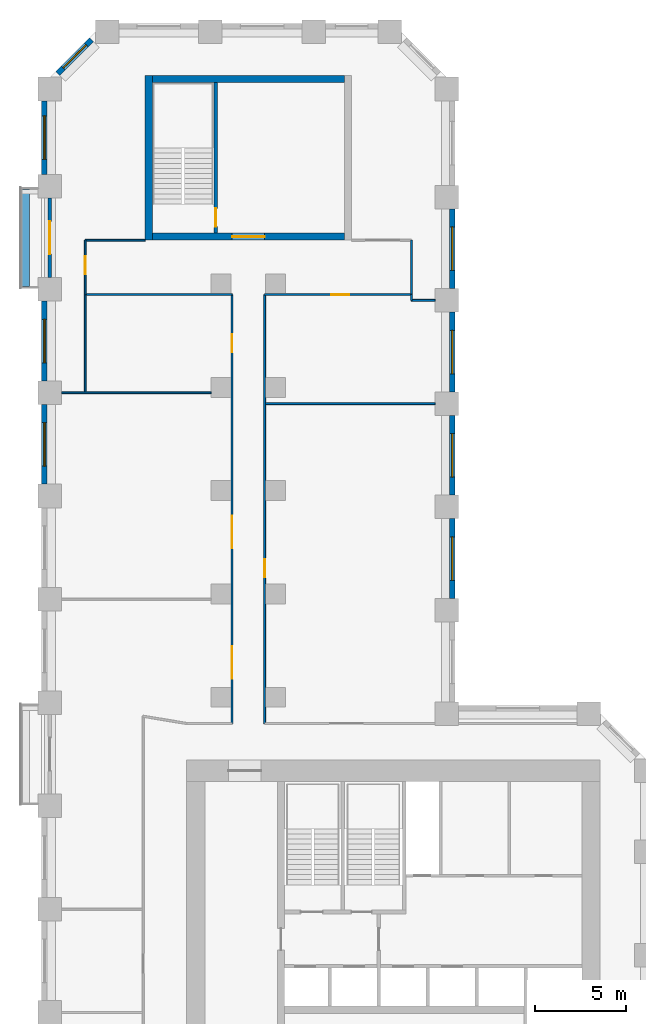
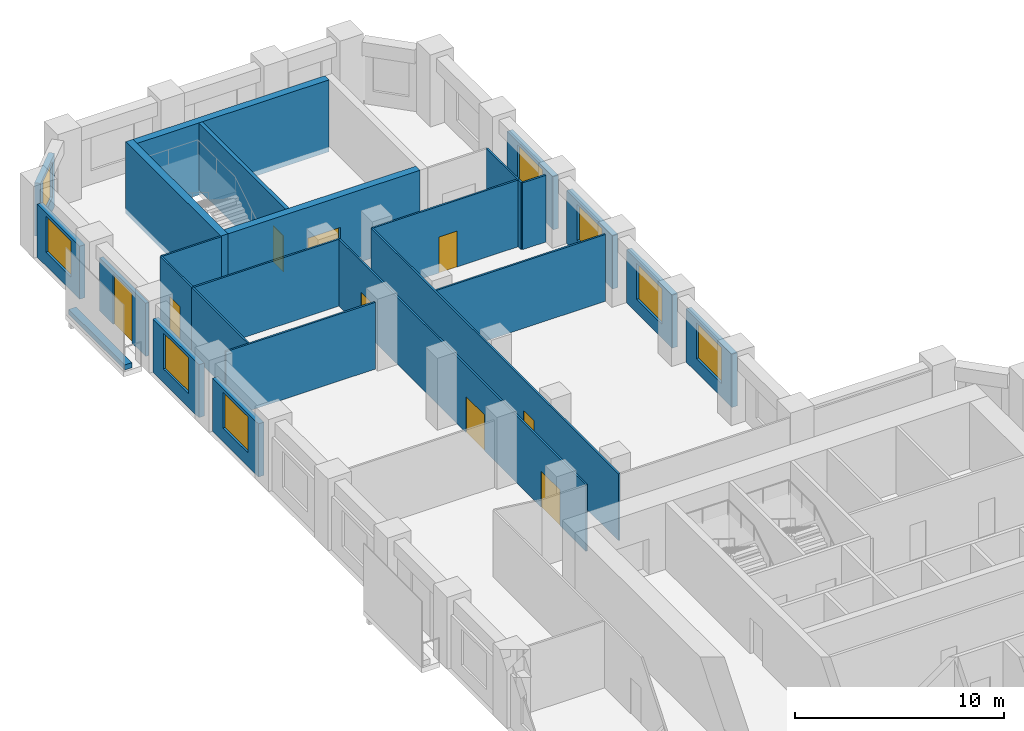
# One storey, part 8 of 10: 26 walls, 9 doors, 8 windows, 17 openings.
"""IFC4 building model written with IfcOpenShell, lengths in metres."""

from ifc_helpers import new_model, si_unit, direction, frame, frame_2d, origin, place, context, subcontext, project, spatial, rectangle, extrude, material, layer, layer_set, type_object, element, fill, save


model = new_model("IFC4")

# Units and contexts
model_context = context("Model", 3, precision=1e-05, world=origin(), true_north=direction((0.0, 1.0)))
body_context = subcontext(model_context, "Body", "Model", "MODEL_VIEW")
ifc_project = project(units=[si_unit("LENGTHUNIT", "METRE"), si_unit("AREAUNIT", "SQUARE_METRE"), si_unit("VOLUMEUNIT", "CUBIC_METRE"), si_unit("PLANEANGLEUNIT", "RADIAN"), si_unit("MASSUNIT", "GRAM", prefix="KILO")], contexts=[model_context])

# Site, building, storey
site_placement = place(None, origin())
site = spatial("IfcSite", under=ifc_project, at=site_placement, CompositionType="ELEMENT")
building_placement = place(site_placement, origin())
building = spatial("IfcBuilding", under=site, at=building_placement, Name="Meshkara Civic Tower", CompositionType="ELEMENT")
storey_placement = place(building_placement, frame((0.0, 0.0, 122.39990234375)))
storey = spatial("IfcBuildingStorey", under=building, at=storey_placement, Name="L27", CompositionType="ELEMENT", Elevation=122.39990234375)

# Wall
ifc_material_1 = material(Name="Corridor wall 100")
ifc_layer_1 = layer(ifc_material_1, 0.10009765625)
ifc_layer_set_1 = layer_set([ifc_layer_1], Name="Corridor wall 100")
wall_type_1 = type_object("IfcWallType", Name="Corridor wall 100", PredefinedType="PARTITIONING", material=ifc_layer_set_1)
wall_1_placement = place(storey_placement, frame((2.39990234375, 62.570068359375, 0.0), z_axis=(0.0, 0.0, 1.0), x_axis=(1.0, 0.0, 0.0)))
element("IfcWall", 1, at=wall_1_placement, inside=storey, type_object=wall_type_1, Name="L27-W001", PredefinedType="PARTITIONING", context=body_context, shape_type="SweptSolid", body=[
    extrude(rectangle(XDim=8.10009765625, YDim=0.10009765625, at=frame_2d((4.050048828125, 0.0))), origin(), (0.0, 0.0, 1.0), 3.900146484375),
])

# Wall, opening, door
wall_2_placement = place(storey_placement, frame((2.39990234375, 65.570068359375, 0.0), z_axis=(0.0, 0.0, 1.0), x_axis=(0.0, -1.0, 0.0)))
wall_2 = element("IfcWall", 2, at=wall_2_placement, inside=storey, type_object=wall_type_1, Name="L27-W002", PredefinedType="PARTITIONING", context=body_context, shape_type="SweptSolid", body=[
    extrude(rectangle(XDim=3.0, YDim=0.10009765625, at=frame_2d((1.5, 0.0))), origin(), (0.0, 0.0, 1.0), 3.900146484375),
])
opening_1_placement = place(wall_2_placement, frame((0.8798828125, 0.0, 0.0)))
opening_1 = element("IfcOpeningElement", 3, at=opening_1_placement, cuts=wall_2, Name="Opening L27-D024", PredefinedType="OPENING", context=body_context, shape_type="SweptSolid", body=[
    extrude(rectangle(XDim=1.0, YDim=2.10009765625, at=frame_2d((0.5, 1.050048828125))), frame((0.0, 0.06005859375, 0.0), z_axis=(0.0, -1.0, 0.0), x_axis=(1.0, 0.0, 0.0)), (0.0, 0.0, 1.0), 0.1201171875),
])
ifc_material_2 = material(Name="Door 1000 x 2100")
door_type_1 = type_object("IfcDoorType", Name="Door 1000 x 2100", OperationType="SINGLE_SWING_LEFT", PredefinedType="DOOR", material=ifc_material_2)
door_1_placement = place(opening_1_placement, origin())
door_1 = element("IfcDoor", 4, at=door_1_placement, inside=storey, type_object=door_type_1, Name="L27-D024", OperationType="SINGLE_SWING_RIGHT", OverallHeight=2.10009765625, OverallWidth=1.0, PredefinedType="DOOR", context=body_context, shape_type="SweptSolid", body=[
    extrude(rectangle(XDim=1.0, YDim=2.10009765625, at=frame_2d((0.5, 1.050048828125))), frame((0.0, 0.02490234375, 0.0), z_axis=(0.0, -1.0, 0.0), x_axis=(1.0, 0.0, 0.0)), (0.0, 0.0, 1.0), 0.050048828125),
])
fill(opening_1, door_1)

# Wall
wall_3_placement = place(storey_placement, frame((5.699951171875, 65.570068359375, 0.0), z_axis=(0.0, 0.0, 1.0), x_axis=(-1.0, 0.0, 0.0)))
element("IfcWall", 5, at=wall_3_placement, inside=storey, type_object=wall_type_1, Name="L27-W005", PredefinedType="PARTITIONING", context=body_context, shape_type="SweptSolid", body=[
    extrude(rectangle(XDim=3.300048828125, YDim=0.10009765625, at=frame_2d((1.64990234375, 0.0))), origin(), (0.0, 0.0, 1.0), 3.900146484375),
])

# Wall, openings, doors
wall_4_placement = place(storey_placement, frame((10.5, 62.570068359375, 0.0), z_axis=(0.0, 0.0, 1.0), x_axis=(0.0, -1.0, 0.0)))
wall_4 = element("IfcWall", 6, at=wall_4_placement, inside=storey, type_object=wall_type_1, Name="L27-W013", PredefinedType="PARTITIONING", context=body_context, shape_type="SweptSolid", body=[
    extrude(rectangle(XDim=23.670166015625, YDim=0.10009765625, at=frame_2d((11.8349609375, 0.0))), origin(), (0.0, 0.0, 1.0), 3.900146484375),
])
opening_2_placement = place(wall_4_placement, frame((19.39501953125, 0.0, 0.0)))
opening_2 = element("IfcOpeningElement", 7, at=opening_2_placement, cuts=wall_4, Name="Opening L27-D020", PredefinedType="OPENING", context=body_context, shape_type="SweptSolid", body=[
    extrude(rectangle(XDim=1.800048828125, YDim=2.10009765625, at=frame_2d((0.89990234375, 1.050048828125))), frame((0.0, 0.06005859375, 0.0), z_axis=(0.0, -1.0, 0.0), x_axis=(1.0, 0.0, 0.0)), (0.0, 0.0, 1.0), 0.1201171875),
])
opening_3_placement = place(wall_4_placement, frame((12.195068359375, 0.0, 0.0)))
opening_3 = element("IfcOpeningElement", 8, at=opening_3_placement, cuts=wall_4, Name="Opening L27-D022", PredefinedType="OPENING", context=body_context, shape_type="SweptSolid", body=[
    extrude(rectangle(XDim=1.800048828125, YDim=2.10009765625, at=frame_2d((0.89990234375, 1.050048828125))), frame((0.0, 0.06005859375, 0.0), z_axis=(0.0, -1.0, 0.0), x_axis=(1.0, 0.0, 0.0)), (0.0, 0.0, 1.0), 0.1201171875),
])
opening_4_placement = place(wall_4_placement, frame((2.179931640625, 0.0, 0.0)))
opening_4 = element("IfcOpeningElement", 9, at=opening_4_placement, cuts=wall_4, Name="Opening L27-D023", PredefinedType="OPENING", context=body_context, shape_type="SweptSolid", body=[
    extrude(rectangle(XDim=1.0, YDim=2.10009765625, at=frame_2d((0.5, 1.050048828125))), frame((0.0, 0.06005859375, 0.0), z_axis=(0.0, -1.0, 0.0), x_axis=(1.0, 0.0, 0.0)), (0.0, 0.0, 1.0), 0.1201171875),
])
door_2_placement = place(opening_4_placement, origin())
door_2 = element("IfcDoor", 10, at=door_2_placement, inside=storey, type_object=door_type_1, Name="L27-D023", OperationType="SINGLE_SWING_RIGHT", OverallHeight=2.10009765625, OverallWidth=1.0, PredefinedType="DOOR", context=body_context, shape_type="SweptSolid", body=[
    extrude(rectangle(XDim=1.0, YDim=2.10009765625, at=frame_2d((0.5, 1.050048828125))), frame((0.0, 0.02490234375, 0.0), z_axis=(0.0, -1.0, 0.0), x_axis=(1.0, 0.0, 0.0)), (0.0, 0.0, 1.0), 0.050048828125),
])
fill(opening_4, door_2)
ifc_material_3 = material(Name="Door pair 1800 x 2100")
door_type_2 = type_object("IfcDoorType", Name="Door pair 1800 x 2100", OperationType="SINGLE_SWING_LEFT", PredefinedType="DOOR", material=ifc_material_3)
door_3_placement = place(opening_2_placement, origin())
door_3 = element("IfcDoor", 11, at=door_3_placement, inside=storey, type_object=door_type_2, Name="L27-D020", OperationType="DOUBLE_DOOR_SINGLE_SWING", OverallHeight=2.10009765625, OverallWidth=1.800048828125, PredefinedType="DOOR", context=body_context, shape_type="SweptSolid", body=[
    extrude(rectangle(XDim=1.800048828125, YDim=2.10009765625, at=frame_2d((0.89990234375, 1.050048828125))), frame((0.0, 0.02490234375, 0.0), z_axis=(0.0, -1.0, 0.0), x_axis=(1.0, 0.0, 0.0)), (0.0, 0.0, 1.0), 0.050048828125),
])
fill(opening_2, door_3)
door_4_placement = place(opening_3_placement, origin())
door_4 = element("IfcDoor", 12, at=door_4_placement, inside=storey, type_object=door_type_2, Name="L27-D022", OperationType="DOUBLE_DOOR_SINGLE_SWING", OverallHeight=2.10009765625, OverallWidth=1.800048828125, PredefinedType="DOOR", context=body_context, shape_type="SweptSolid", body=[
    extrude(rectangle(XDim=1.800048828125, YDim=2.10009765625, at=frame_2d((0.89990234375, 1.050048828125))), frame((0.0, 0.02490234375, 0.0), z_axis=(0.0, -1.0, 0.0), x_axis=(1.0, 0.0, 0.0)), (0.0, 0.0, 1.0), 0.050048828125),
])
fill(opening_3, door_4)

# Wall, opening, door
wall_5_placement = place(storey_placement, frame((12.300048828125, 62.570068359375, 0.0), z_axis=(0.0, 0.0, 1.0), x_axis=(0.0, -1.0, 0.0)))
wall_5 = element("IfcWall", 13, at=wall_5_placement, inside=storey, type_object=wall_type_1, Name="L27-W014", PredefinedType="PARTITIONING", context=body_context, shape_type="SweptSolid", body=[
    extrude(rectangle(XDim=23.670166015625, YDim=0.10009765625, at=frame_2d((11.8349609375, 0.0))), origin(), (0.0, 0.0, 1.0), 3.900146484375),
])
opening_5_placement = place(wall_5_placement, frame((14.60009765625, 0.0, 0.0)))
opening_5 = element("IfcOpeningElement", 14, at=opening_5_placement, cuts=wall_5, Name="Opening L27-D021", PredefinedType="OPENING", context=body_context, shape_type="SweptSolid", body=[
    extrude(rectangle(XDim=1.0, YDim=2.10009765625, at=frame_2d((0.5, 1.050048828125))), frame((0.0, 0.06005859375, 0.0), z_axis=(0.0, -1.0, 0.0), x_axis=(1.0, 0.0, 0.0)), (0.0, 0.0, 1.0), 0.1201171875),
])
door_5_placement = place(opening_5_placement, origin())
door_5 = element("IfcDoor", 15, at=door_5_placement, inside=storey, type_object=door_type_1, Name="L27-D021", OperationType="SINGLE_SWING_RIGHT", OverallHeight=2.10009765625, OverallWidth=1.0, PredefinedType="DOOR", context=body_context, shape_type="SweptSolid", body=[
    extrude(rectangle(XDim=1.0, YDim=2.10009765625, at=frame_2d((0.5, 1.050048828125))), frame((0.0, 0.02490234375, 0.0), z_axis=(0.0, -1.0, 0.0), x_axis=(1.0, 0.0, 0.0)), (0.0, 0.0, 1.0), 0.050048828125),
])
fill(opening_5, door_5)

wall_6_placement = place(storey_placement, frame((12.300048828125, 62.570068359375, 0.0), z_axis=(0.0, 0.0, 1.0), x_axis=(1.0, 0.0, 0.0)))
wall_6 = element("IfcWall", 16, at=wall_6_placement, inside=storey, type_object=wall_type_1, Name="L27-W015", PredefinedType="PARTITIONING", context=body_context, shape_type="SweptSolid", body=[
    extrude(rectangle(XDim=8.099853515625, YDim=0.10009765625, at=frame_2d((4.0498046875, 0.0))), origin(), (0.0, 0.0, 1.0), 3.900146484375),
])
opening_6_placement = place(wall_6_placement, frame((3.679931640625, 0.0, 0.0)))
opening_6 = element("IfcOpeningElement", 17, at=opening_6_placement, cuts=wall_6, Name="Opening L27-D025", PredefinedType="OPENING", context=body_context, shape_type="SweptSolid", body=[
    extrude(rectangle(XDim=1.0, YDim=2.10009765625, at=frame_2d((0.5, 1.050048828125))), frame((0.0, 0.06005859375, 0.0), z_axis=(0.0, -1.0, 0.0), x_axis=(1.0, 0.0, 0.0)), (0.0, 0.0, 1.0), 0.1201171875),
])
door_6_placement = place(opening_6_placement, origin())
door_6 = element("IfcDoor", 18, at=door_6_placement, inside=storey, type_object=door_type_1, Name="L27-D025", OperationType="SINGLE_SWING_LEFT", OverallHeight=2.10009765625, OverallWidth=1.0, PredefinedType="DOOR", context=body_context, shape_type="SweptSolid", body=[
    extrude(rectangle(XDim=1.0, YDim=2.10009765625, at=frame_2d((0.5, 1.050048828125))), frame((0.0, 0.02490234375, 0.0), z_axis=(0.0, -1.0, 0.0), x_axis=(1.0, 0.0, 0.0)), (0.0, 0.0, 1.0), 0.050048828125),
])
fill(opening_6, door_6)

# Wall
wall_7_placement = place(storey_placement, frame((20.39990234375, 62.570068359375, 0.0), z_axis=(0.0, 0.0, 1.0), x_axis=(0.0, 1.0, 0.0)))
element("IfcWall", 19, at=wall_7_placement, inside=storey, type_object=wall_type_1, Name="L27-W017", PredefinedType="PARTITIONING", context=body_context, shape_type="SweptSolid", body=[
    extrude(rectangle(XDim=3.0, YDim=0.10009765625, at=frame_2d((1.5, 0.0))), origin(), (0.0, 0.0, 1.0), 3.900146484375),
])

# Wall, opening, window
ifc_material_4 = material(Name="Insulated infill panel with bronze anodised aluminium cladding", Category="aluminium")
ifc_layer_2 = layer(ifc_material_4, 0.300048828125)
ifc_layer_set_2 = layer_set([ifc_layer_2], Name="EXTERNAL INFILL WALL 300")
wall_type_2 = type_object("IfcWallType", Name="EXTERNAL INFILL WALL 300", PredefinedType="SOLIDWALL", material=ifc_layer_set_2)
wall_8_placement = place(storey_placement, frame((22.64990234375, 45.800048828125, 0.0), z_axis=(0.0, 0.0, 1.0), x_axis=(0.0, 1.0, 0.0)))
wall_8 = element("IfcWall", 20, at=wall_8_placement, inside=storey, type_object=wall_type_2, Name="External wall", PredefinedType="SOLIDWALL", context=body_context, shape_type="SweptSolid", body=[
    extrude(rectangle(XDim=4.39990234375, YDim=0.300048828125, at=frame_2d((2.199951171875, 0.0))), origin(), (0.0, 0.0, 1.0), 3.10009765625),
])
opening_7_placement = place(wall_8_placement, frame((1.0, 0.0, 0.800048828125)))
opening_7 = element("IfcOpeningElement", 21, at=opening_7_placement, cuts=wall_8, Name="Opening W7", PredefinedType="OPENING", context=body_context, shape_type="SweptSolid", body=[
    extrude(rectangle(XDim=2.39990234375, YDim=2.10009765625, at=frame_2d((1.199951171875, 1.050048828125))), frame((0.0, 0.159912109375, 0.0), z_axis=(0.0, -1.0, 0.0), x_axis=(1.0, 0.0, 0.0)), (0.0, 0.0, 1.0), 0.320068359375),
])
ifc_material_5 = material(Name="Tinted double glazing", Category="glass")
window_type_1 = type_object("IfcWindowType", Name="WINDOW 2400x2100", PartitioningType="DOUBLE_PANEL_VERTICAL", PredefinedType="WINDOW", material=ifc_material_5)
window_1_placement = place(opening_7_placement, origin())
window_1 = element("IfcWindow", 22, at=window_1_placement, inside=storey, type_object=window_type_1, Name="Window", OverallHeight=2.10009765625, OverallWidth=2.39990234375, PartitioningType="DOUBLE_PANEL_VERTICAL", PredefinedType="WINDOW", context=body_context, shape_type="SweptSolid", body=[
    extrude(rectangle(XDim=2.39990234375, YDim=2.10009765625, at=frame_2d((1.199951171875, 1.050048828125))), frame((0.0, 0.030029296875, 0.0), z_axis=(0.0, -1.0, 0.0), x_axis=(1.0, 0.0, 0.0)), (0.0, 0.0, 1.0), 0.06005859375),
])
fill(opening_7, window_1)

wall_9_placement = place(storey_placement, frame((22.64990234375, 51.5, 0.0), z_axis=(0.0, 0.0, 1.0), x_axis=(0.0, 1.0, 0.0)))
wall_9 = element("IfcWall", 23, at=wall_9_placement, inside=storey, type_object=wall_type_2, Name="External wall", PredefinedType="SOLIDWALL", context=body_context, shape_type="SweptSolid", body=[
    extrude(rectangle(XDim=4.39990234375, YDim=0.300048828125, at=frame_2d((2.199951171875, 0.0))), origin(), (0.0, 0.0, 1.0), 3.10009765625),
])
opening_8_placement = place(wall_9_placement, frame((1.0, 0.0, 0.800048828125)))
opening_8 = element("IfcOpeningElement", 24, at=opening_8_placement, cuts=wall_9, Name="Opening W7", PredefinedType="OPENING", context=body_context, shape_type="SweptSolid", body=[
    extrude(rectangle(XDim=2.39990234375, YDim=2.10009765625, at=frame_2d((1.199951171875, 1.050048828125))), frame((0.0, 0.159912109375, 0.0), z_axis=(0.0, -1.0, 0.0), x_axis=(1.0, 0.0, 0.0)), (0.0, 0.0, 1.0), 0.320068359375),
])
window_2_placement = place(opening_8_placement, origin())
window_2 = element("IfcWindow", 25, at=window_2_placement, inside=storey, type_object=window_type_1, Name="Window", OverallHeight=2.10009765625, OverallWidth=2.39990234375, PartitioningType="DOUBLE_PANEL_VERTICAL", PredefinedType="WINDOW", context=body_context, shape_type="SweptSolid", body=[
    extrude(rectangle(XDim=2.39990234375, YDim=2.10009765625, at=frame_2d((1.199951171875, 1.050048828125))), frame((0.0, 0.030029296875, 0.0), z_axis=(0.0, -1.0, 0.0), x_axis=(1.0, 0.0, 0.0)), (0.0, 0.0, 1.0), 0.06005859375),
])
fill(opening_8, window_2)

wall_10_placement = place(storey_placement, frame((22.64990234375, 57.199951171875, 0.0), z_axis=(0.0, 0.0, 1.0), x_axis=(0.0, 1.0, 0.0)))
wall_10 = element("IfcWall", 26, at=wall_10_placement, inside=storey, type_object=wall_type_2, Name="External wall", PredefinedType="SOLIDWALL", context=body_context, shape_type="SweptSolid", body=[
    extrude(rectangle(XDim=4.400146484375, YDim=0.300048828125, at=frame_2d((2.2001953125, 0.0))), origin(), (0.0, 0.0, 1.0), 3.10009765625),
])
opening_9_placement = place(wall_10_placement, frame((1.0, 0.0, 0.800048828125)))
opening_9 = element("IfcOpeningElement", 27, at=opening_9_placement, cuts=wall_10, Name="Opening W7", PredefinedType="OPENING", context=body_context, shape_type="SweptSolid", body=[
    extrude(rectangle(XDim=2.39990234375, YDim=2.10009765625, at=frame_2d((1.199951171875, 1.050048828125))), frame((0.0, 0.159912109375, 0.0), z_axis=(0.0, -1.0, 0.0), x_axis=(1.0, 0.0, 0.0)), (0.0, 0.0, 1.0), 0.320068359375),
])
window_3_placement = place(opening_9_placement, origin())
window_3 = element("IfcWindow", 28, at=window_3_placement, inside=storey, type_object=window_type_1, Name="Window", OverallHeight=2.10009765625, OverallWidth=2.39990234375, PartitioningType="DOUBLE_PANEL_VERTICAL", PredefinedType="WINDOW", context=body_context, shape_type="SweptSolid", body=[
    extrude(rectangle(XDim=2.39990234375, YDim=2.10009765625, at=frame_2d((1.199951171875, 1.050048828125))), frame((0.0, 0.030029296875, 0.0), z_axis=(0.0, -1.0, 0.0), x_axis=(1.0, 0.0, 0.0)), (0.0, 0.0, 1.0), 0.06005859375),
])
fill(opening_9, window_3)

wall_11_placement = place(storey_placement, frame((22.64990234375, 62.89990234375, 0.0), z_axis=(0.0, 0.0, 1.0), x_axis=(0.0, 1.0, 0.0)))
wall_11 = element("IfcWall", 29, at=wall_11_placement, inside=storey, type_object=wall_type_2, Name="External wall", PredefinedType="SOLIDWALL", context=body_context, shape_type="SweptSolid", body=[
    extrude(rectangle(XDim=4.400146484375, YDim=0.300048828125, at=frame_2d((2.2001953125, 0.0))), origin(), (0.0, 0.0, 1.0), 3.10009765625),
])
opening_10_placement = place(wall_11_placement, frame((1.0, 0.0, 0.800048828125)))
opening_10 = element("IfcOpeningElement", 30, at=opening_10_placement, cuts=wall_11, Name="Opening W7", PredefinedType="OPENING", context=body_context, shape_type="SweptSolid", body=[
    extrude(rectangle(XDim=2.39990234375, YDim=2.10009765625, at=frame_2d((1.199951171875, 1.050048828125))), frame((0.0, 0.159912109375, 0.0), z_axis=(0.0, -1.0, 0.0), x_axis=(1.0, 0.0, 0.0)), (0.0, 0.0, 1.0), 0.320068359375),
])
window_4_placement = place(opening_10_placement, origin())
window_4 = element("IfcWindow", 31, at=window_4_placement, inside=storey, type_object=window_type_1, Name="Window", OverallHeight=2.10009765625, OverallWidth=2.39990234375, PartitioningType="DOUBLE_PANEL_VERTICAL", PredefinedType="WINDOW", context=body_context, shape_type="SweptSolid", body=[
    extrude(rectangle(XDim=2.39990234375, YDim=2.10009765625, at=frame_2d((1.199951171875, 1.050048828125))), frame((0.0, 0.030029296875, 0.0), z_axis=(0.0, -1.0, 0.0), x_axis=(1.0, 0.0, 0.0)), (0.0, 0.0, 1.0), 0.06005859375),
])
fill(opening_10, window_4)

wall_12_placement = place(storey_placement, frame((2.743896484375, 76.632080078125, 0.0), z_axis=(0.0, 0.0, 1.0), x_axis=(-0.707060274772, -0.707153284542, 0.0)))
wall_12 = element("IfcWall", 32, at=wall_12_placement, inside=storey, type_object=wall_type_2, Name="External wall", PredefinedType="SOLIDWALL", context=body_context, shape_type="SweptSolid", body=[
    extrude(rectangle(XDim=2.625, YDim=0.300048828125, at=frame_2d((1.3125, 0.0))), origin(), (0.0, 0.0, 1.0), 3.10009765625),
])
opening_11_placement = place(wall_12_placement, frame((0.412109375, 0.0, 0.800048828125)))
opening_11 = element("IfcOpeningElement", 33, at=opening_11_placement, cuts=wall_12, Name="Opening W9", PredefinedType="OPENING", context=body_context, shape_type="SweptSolid", body=[
    extrude(rectangle(XDim=1.800048828125, YDim=2.10009765625, at=frame_2d((0.89990234375, 1.050048828125))), frame((0.0, 0.159912109375, 0.0), z_axis=(0.0, -1.0, 0.0), x_axis=(1.0, 0.0, 0.0)), (0.0, 0.0, 1.0), 0.320068359375),
])
ifc_material_6 = material(Name="Tinted double glazing", Category="glass")
window_type_2 = type_object("IfcWindowType", Name="WINDOW 1800x2100", PartitioningType="DOUBLE_PANEL_VERTICAL", PredefinedType="WINDOW", material=ifc_material_6)
window_5_placement = place(opening_11_placement, origin())
window_5 = element("IfcWindow", 34, at=window_5_placement, inside=storey, type_object=window_type_2, Name="Window", OverallHeight=2.10009765625, OverallWidth=1.800048828125, PartitioningType="DOUBLE_PANEL_VERTICAL", PredefinedType="WINDOW", context=body_context, shape_type="SweptSolid", body=[
    extrude(rectangle(XDim=1.800048828125, YDim=2.10009765625, at=frame_2d((0.89990234375, 1.050048828125))), frame((0.0, 0.030029296875, 0.0), z_axis=(0.0, -1.0, 0.0), x_axis=(1.0, 0.0, 0.0)), (0.0, 0.0, 1.0), 0.06005859375),
])
fill(opening_11, window_5)

wall_13_placement = place(storey_placement, frame((0.14990234375, 73.263916015625, 0.0), z_axis=(0.0, 0.0, 1.0), x_axis=(0.0, -1.0, 0.0)))
wall_13 = element("IfcWall", 35, at=wall_13_placement, inside=storey, type_object=wall_type_2, Name="External wall", PredefinedType="SOLIDWALL", context=body_context, shape_type="SweptSolid", body=[
    extrude(rectangle(XDim=4.058837890625, YDim=0.300048828125, at=frame_2d((2.029296875, 0.0))), origin(), (0.0, 0.0, 1.0), 3.10009765625),
])
opening_12_placement = place(wall_13_placement, frame((0.8291015625, 0.0, 0.800048828125)))
opening_12 = element("IfcOpeningElement", 36, at=opening_12_placement, cuts=wall_13, Name="Opening W7", PredefinedType="OPENING", context=body_context, shape_type="SweptSolid", body=[
    extrude(rectangle(XDim=2.39990234375, YDim=2.10009765625, at=frame_2d((1.199951171875, 1.050048828125))), frame((0.0, 0.159912109375, 0.0), z_axis=(0.0, -1.0, 0.0), x_axis=(1.0, 0.0, 0.0)), (0.0, 0.0, 1.0), 0.320068359375),
])
window_6_placement = place(opening_12_placement, origin())
window_6 = element("IfcWindow", 37, at=window_6_placement, inside=storey, type_object=window_type_1, Name="Window", OverallHeight=2.10009765625, OverallWidth=2.39990234375, PartitioningType="DOUBLE_PANEL_VERTICAL", PredefinedType="WINDOW", context=body_context, shape_type="SweptSolid", body=[
    extrude(rectangle(XDim=2.39990234375, YDim=2.10009765625, at=frame_2d((1.199951171875, 1.050048828125))), frame((0.0, 0.030029296875, 0.0), z_axis=(0.0, -1.0, 0.0), x_axis=(1.0, 0.0, 0.0)), (0.0, 0.0, 1.0), 0.06005859375),
])
fill(opening_12, window_6)

wall_14_placement = place(storey_placement, frame((0.14990234375, 62.205078125, 0.0), z_axis=(0.0, 0.0, 1.0), x_axis=(0.0, -1.0, 0.0)))
wall_14 = element("IfcWall", 38, at=wall_14_placement, inside=storey, type_object=wall_type_2, Name="External wall", PredefinedType="SOLIDWALL", context=body_context, shape_type="SweptSolid", body=[
    extrude(rectangle(XDim=4.400146484375, YDim=0.300048828125, at=frame_2d((2.2001953125, 0.0))), origin(), (0.0, 0.0, 1.0), 3.10009765625),
])
opening_13_placement = place(wall_14_placement, frame((1.0, 0.0, 0.800048828125)))
opening_13 = element("IfcOpeningElement", 39, at=opening_13_placement, cuts=wall_14, Name="Opening W7", PredefinedType="OPENING", context=body_context, shape_type="SweptSolid", body=[
    extrude(rectangle(XDim=2.39990234375, YDim=2.10009765625, at=frame_2d((1.199951171875, 1.050048828125))), frame((0.0, 0.159912109375, 0.0), z_axis=(0.0, -1.0, 0.0), x_axis=(1.0, 0.0, 0.0)), (0.0, 0.0, 1.0), 0.320068359375),
])
window_7_placement = place(opening_13_placement, origin())
window_7 = element("IfcWindow", 40, at=window_7_placement, inside=storey, type_object=window_type_1, Name="Window", OverallHeight=2.10009765625, OverallWidth=2.39990234375, PartitioningType="DOUBLE_PANEL_VERTICAL", PredefinedType="WINDOW", context=body_context, shape_type="SweptSolid", body=[
    extrude(rectangle(XDim=2.39990234375, YDim=2.10009765625, at=frame_2d((1.199951171875, 1.050048828125))), frame((0.0, 0.030029296875, 0.0), z_axis=(0.0, -1.0, 0.0), x_axis=(1.0, 0.0, 0.0)), (0.0, 0.0, 1.0), 0.06005859375),
])
fill(opening_13, window_7)

wall_15_placement = place(storey_placement, frame((0.14990234375, 56.5048828125, 0.0), z_axis=(0.0, 0.0, 1.0), x_axis=(0.0, -1.0, 0.0)))
wall_15 = element("IfcWall", 41, at=wall_15_placement, inside=storey, type_object=wall_type_2, Name="External wall", PredefinedType="SOLIDWALL", context=body_context, shape_type="SweptSolid", body=[
    extrude(rectangle(XDim=4.39990234375, YDim=0.300048828125, at=frame_2d((2.199951171875, 0.0))), origin(), (0.0, 0.0, 1.0), 3.10009765625),
])
opening_14_placement = place(wall_15_placement, frame((1.0, 0.0, 0.800048828125)))
opening_14 = element("IfcOpeningElement", 42, at=opening_14_placement, cuts=wall_15, Name="Opening W7", PredefinedType="OPENING", context=body_context, shape_type="SweptSolid", body=[
    extrude(rectangle(XDim=2.39990234375, YDim=2.10009765625, at=frame_2d((1.199951171875, 1.050048828125))), frame((0.0, 0.159912109375, 0.0), z_axis=(0.0, -1.0, 0.0), x_axis=(1.0, 0.0, 0.0)), (0.0, 0.0, 1.0), 0.320068359375),
])
window_8_placement = place(opening_14_placement, origin())
window_8 = element("IfcWindow", 43, at=window_8_placement, inside=storey, type_object=window_type_1, Name="Window", OverallHeight=2.10009765625, OverallWidth=2.39990234375, PartitioningType="DOUBLE_PANEL_VERTICAL", PredefinedType="WINDOW", context=body_context, shape_type="SweptSolid", body=[
    extrude(rectangle(XDim=2.39990234375, YDim=2.10009765625, at=frame_2d((1.199951171875, 1.050048828125))), frame((0.0, 0.030029296875, 0.0), z_axis=(0.0, -1.0, 0.0), x_axis=(1.0, 0.0, 0.0)), (0.0, 0.0, 1.0), 0.06005859375),
])
fill(opening_14, window_8)

# Wall
ifc_material_7 = material(Name="Concrete C70", Category="concrete")
ifc_layer_3 = layer(ifc_material_7, 0.39990234375)
ifc_layer_set_3 = layer_set([ifc_layer_3], Name="End core ring wall 400 C70")
wall_type_3 = type_object("IfcWallType", Name="End core ring wall 400 C70", PredefinedType="SHEAR", material=ifc_layer_set_3)
wall_16_placement = place(storey_placement, frame((5.89990234375, 65.570068359375, -0.2998046875), z_axis=(0.0, 0.0, 1.0), x_axis=(0.0, 1.0, 0.0)))
element("IfcWall", 44, at=wall_16_placement, inside=storey, type_object=wall_type_3, Name="L27-C026", PredefinedType="SHEAR", context=body_context, shape_type="SweptSolid", body=[
    extrude(rectangle(XDim=9.099853515625, YDim=0.39990234375, at=frame_2d((4.5498046875, 0.0))), origin(), (0.0, 0.0, 1.0), 4.199951171875),
])

# Wall, opening, door
wall_17_placement = place(storey_placement, frame((6.10009765625, 65.77001953125, -0.2998046875), z_axis=(0.0, 0.0, 1.0), x_axis=(1.0, 0.0, 0.0)))
wall_17 = element("IfcWall", 45, at=wall_17_placement, inside=storey, type_object=wall_type_3, Name="L27-C028", PredefinedType="SHEAR", context=body_context, shape_type="SweptSolid", body=[
    extrude(rectangle(XDim=10.599853515625, YDim=0.39990234375, at=frame_2d((5.2998046875, 0.0))), origin(), (0.0, 0.0, 1.0), 4.199951171875),
])
opening_15_placement = place(wall_17_placement, frame((4.39990234375, 0.0, 0.300048828125)))
opening_15 = element("IfcOpeningElement", 46, at=opening_15_placement, cuts=wall_17, Name="Opening L27-K102", PredefinedType="OPENING", context=body_context, shape_type="SweptSolid", body=[
    extrude(rectangle(XDim=1.800048828125, YDim=2.10009765625, at=frame_2d((0.89990234375, 1.050048828125))), frame((0.0, 0.2099609375, 0.0), z_axis=(0.0, -1.0, 0.0), x_axis=(1.0, 0.0, 0.0)), (0.0, 0.0, 1.0), 0.419921875),
])
ifc_material_8 = material(Name="Fire-rated door leaf in steel frame", Category="steel")
door_type_3 = type_object("IfcDoorType", Name="Core double door 1800 EI 60", OperationType="DOUBLE_DOOR_SINGLE_SWING", PredefinedType="DOOR", material=ifc_material_8)
door_7_placement = place(opening_15_placement, origin())
door_7 = element("IfcDoor", 47, at=door_7_placement, inside=storey, type_object=door_type_3, Name="L27-K102", OperationType="DOUBLE_DOOR_SINGLE_SWING", OverallHeight=2.10009765625, OverallWidth=1.800048828125, PredefinedType="DOOR", context=body_context, shape_type="SweptSolid", body=[
    extrude(rectangle(XDim=1.800048828125, YDim=2.10009765625, at=frame_2d((0.89990234375, 1.050048828125))), frame((0.0, 0.02490234375, 0.0), z_axis=(0.0, -1.0, 0.0), x_axis=(1.0, 0.0, 0.0)), (0.0, 0.0, 1.0), 0.050048828125),
])
fill(opening_15, door_7)

# Wall
wall_18_placement = place(storey_placement, frame((6.10009765625, 74.469970703125, -0.2998046875), z_axis=(0.0, 0.0, 1.0), x_axis=(1.0, 0.0, 0.0)))
element("IfcWall", 48, at=wall_18_placement, inside=storey, type_object=wall_type_3, Name="L27-C029", PredefinedType="SHEAR", context=body_context, shape_type="SweptSolid", body=[
    extrude(rectangle(XDim=10.599853515625, YDim=0.39990234375, at=frame_2d((5.2998046875, 0.0))), origin(), (0.0, 0.0, 1.0), 4.199951171875),
])

# Wall, opening, door
ifc_material_9 = material(Name="Insulated infill panel with bronze anodised aluminium cladding", Category="aluminium")
ifc_layer_4 = layer(ifc_material_9, 0.199951171875)
ifc_layer_set_4 = layer_set([ifc_layer_4], Name="LOGGIA BACK WALL 200")
wall_type_4 = type_object("IfcWallType", Name="LOGGIA BACK WALL 200", PredefinedType="SOLIDWALL", material=ifc_layer_set_4)
wall_19_placement = place(storey_placement, frame((0.449951171875, 67.905029296875, 0.0), z_axis=(0.0, 0.0, 1.0), x_axis=(0.0, -1.0, 0.0)))
wall_19 = element("IfcWall", 49, at=wall_19_placement, inside=storey, type_object=wall_type_4, Name="Loggia wall", PredefinedType="SOLIDWALL", context=body_context, shape_type="SweptSolid", body=[
    extrude(rectangle(XDim=4.400146484375, YDim=0.199951171875, at=frame_2d((2.2001953125, 0.0))), origin(), (0.0, 0.0, 1.0), 3.10009765625),
])
opening_16_placement = place(wall_19_placement, frame((1.300048828125, 0.0, 0.0)))
opening_16 = element("IfcOpeningElement", 50, at=opening_16_placement, cuts=wall_19, Name="Opening L27-L001", PredefinedType="OPENING", context=body_context, shape_type="SweptSolid", body=[
    extrude(rectangle(XDim=1.800048828125, YDim=2.89990234375, at=frame_2d((0.89990234375, 1.449951171875))), frame((0.0, 0.10986328125, 0.0), z_axis=(0.0, -1.0, 0.0), x_axis=(1.0, 0.0, 0.0)), (0.0, 0.0, 1.0), 0.219970703125),
])
ifc_material_10 = material(Name="Tinted double glazing", Category="glass")
door_type_4 = type_object("IfcDoorType", Name="LOGGIA DOOR 1800x2900", OperationType="DOUBLE_DOOR_SINGLE_SWING", PredefinedType="DOOR", material=ifc_material_10)
door_8_placement = place(opening_16_placement, origin())
door_8 = element("IfcDoor", 51, at=door_8_placement, inside=storey, type_object=door_type_4, Name="L27-L001", OperationType="DOUBLE_DOOR_SINGLE_SWING", OverallHeight=2.89990234375, OverallWidth=1.800048828125, PredefinedType="DOOR", context=body_context, shape_type="SweptSolid", body=[
    extrude(rectangle(XDim=1.800048828125, YDim=2.89990234375, at=frame_2d((0.89990234375, 1.449951171875))), frame((0.0, 0.02490234375, 0.0), z_axis=(0.0, -1.0, 0.0), x_axis=(1.0, 0.0, 0.0)), (0.0, 0.0, 1.0), 0.050048828125),
])
fill(opening_16, door_8)

# Walls
ifc_material_11 = material(Name="Concrete C40", Category="concrete")
ifc_layer_5 = layer(ifc_material_11, 0.39990234375)
ifc_layer_set_5 = layer_set([ifc_layer_5], Name="PLANTER TRAY")
wall_type_5 = type_object("IfcWallType", Name="PLANTER TRAY", PredefinedType="SOLIDWALL", material=ifc_layer_set_5)
wall_20_placement = place(storey_placement, frame((-0.8798828125, 68.385009765625, 0.0), z_axis=(0.0, 0.0, 1.0), x_axis=(0.0, -1.0, 0.0)))
element("IfcWall", 52, at=wall_20_placement, inside=storey, type_object=wall_type_5, Name="Planter", PredefinedType="SOLIDWALL", context=body_context, shape_type="SweptSolid", body=[
    extrude(rectangle(XDim=5.360107421875, YDim=0.39990234375, at=frame_2d((2.68017578125, 0.0))), origin(), (0.0, 0.0, 1.0), 0.300048828125),
])
ifc_material_12 = material(Name="Partition 100")
ifc_layer_6 = layer(ifc_material_12, 0.10009765625)
ifc_layer_set_6 = layer_set([ifc_layer_6], Name="Partition 100")
wall_type_6 = type_object("IfcWallType", Name="Partition 100", PredefinedType="PARTITIONING", material=ifc_layer_set_6)
wall_21_placement = place(storey_placement, frame((1.10009765625, 57.155029296875, 0.0), z_axis=(0.0, 0.0, 1.0), x_axis=(1.0, 0.0, 0.0)))
element("IfcWall", 53, at=wall_21_placement, inside=storey, type_object=wall_type_6, Name="L27-W031", PredefinedType="PARTITIONING", context=body_context, shape_type="SweptSolid", body=[
    extrude(rectangle(XDim=8.25, YDim=0.10009765625, at=frame_2d((4.125, 0.0))), origin(), (0.0, 0.0, 1.0), 3.900146484375),
])
wall_22_placement = place(storey_placement, frame((2.39990234375, 57.205078125, 0.0), z_axis=(0.0, 0.0, 1.0), x_axis=(0.0, 1.0, 0.0)))
element("IfcWall", 54, at=wall_22_placement, inside=storey, type_object=wall_type_6, Name="L27-W032", PredefinedType="PARTITIONING", context=body_context, shape_type="SweptSolid", body=[
    extrude(rectangle(XDim=5.368896484375, YDim=0.10009765625, at=frame_2d((2.6845703125, 0.0))), origin(), (0.0, 0.0, 1.0), 3.900146484375),
])
wall_23_placement = place(storey_placement, frame((20.39990234375, 62.25, 0.0), z_axis=(0.0, 0.0, 1.0), x_axis=(0.0, 1.0, 0.0)))
element("IfcWall", 55, at=wall_23_placement, inside=storey, type_object=wall_type_6, Name="L27-W040", PredefinedType="PARTITIONING", context=body_context, shape_type="SweptSolid", body=[
    extrude(rectangle(XDim=0.323974609375, YDim=0.10009765625, at=frame_2d((0.162109375, 0.0))), origin(), (0.0, 0.0, 1.0), 3.900146484375),
])
wall_24_placement = place(storey_placement, frame((21.699951171875, 56.550048828125, 0.0), z_axis=(0.0, 0.0, 1.0), x_axis=(-1.0, 0.0, 0.0)))
element("IfcWall", 56, at=wall_24_placement, inside=storey, type_object=wall_type_6, Name="L27-W041", PredefinedType="PARTITIONING", context=body_context, shape_type="SweptSolid", body=[
    extrude(rectangle(XDim=9.349853515625, YDim=0.10009765625, at=frame_2d((4.6748046875, 0.0))), origin(), (0.0, 0.0, 1.0), 3.900146484375),
])
wall_25_placement = place(storey_placement, frame((21.699951171875, 62.25, 0.0), z_axis=(0.0, 0.0, 1.0), x_axis=(-1.0, 0.0, 0.0)))
element("IfcWall", 57, at=wall_25_placement, inside=storey, type_object=wall_type_6, Name="L27-W042", PredefinedType="PARTITIONING", context=body_context, shape_type="SweptSolid", body=[
    extrude(rectangle(XDim=1.300048828125, YDim=0.10009765625, at=frame_2d((0.64990234375, 0.0))), origin(), (0.0, 0.0, 1.0), 3.900146484375),
])

# Wall, opening, door
ifc_material_13 = material(Name="Concrete C40/50", Category="concrete")
ifc_layer_7 = layer(ifc_material_13, 0.199951171875)
ifc_layer_set_7 = layer_set([ifc_layer_7], Name="Stair enclosure wall 200 C40/50")
wall_type_7 = type_object("IfcWallType", Name="Stair enclosure wall 200 C40/50", PredefinedType="SOLIDWALL", material=ifc_layer_set_7)
wall_26_placement = place(storey_placement, frame((9.60009765625, 65.969970703125, 0.0), z_axis=(0.0, 0.0, 1.0), x_axis=(0.0, 1.0, 0.0)))
wall_26 = element("IfcWall", 58, at=wall_26_placement, inside=storey, type_object=wall_type_7, Name="L27-C030", PredefinedType="SOLIDWALL", context=body_context, shape_type="SweptSolid", body=[
    extrude(rectangle(XDim=8.300048828125, YDim=0.199951171875, at=frame_2d((4.14990234375, 0.0))), origin(), (0.0, 0.0, 1.0), 3.900146484375),
])
opening_17_placement = place(wall_26_placement, frame((0.35009765625, 0.0, 0.0)))
opening_17 = element("IfcOpeningElement", 59, at=opening_17_placement, cuts=wall_26, Name="Opening L27-K101", PredefinedType="OPENING", context=body_context, shape_type="SweptSolid", body=[
    extrude(rectangle(XDim=1.0, YDim=2.10009765625, at=frame_2d((0.5, 1.050048828125))), frame((0.0, 0.10986328125, 0.0), z_axis=(0.0, -1.0, 0.0), x_axis=(1.0, 0.0, 0.0)), (0.0, 0.0, 1.0), 0.219970703125),
])
ifc_material_14 = material(Name="Fire-rated door leaf in steel frame", Category="steel")
door_type_5 = type_object("IfcDoorType", Name="Stair door 1000 EI 120", OperationType="SINGLE_SWING_LEFT", PredefinedType="DOOR", material=ifc_material_14)
door_9_placement = place(opening_17_placement, origin())
door_9 = element("IfcDoor", 60, at=door_9_placement, inside=storey, type_object=door_type_5, Name="L27-K101", OperationType="SINGLE_SWING_RIGHT", OverallHeight=2.10009765625, OverallWidth=1.0, PredefinedType="DOOR", context=body_context, shape_type="SweptSolid", body=[
    extrude(rectangle(XDim=1.0, YDim=2.10009765625, at=frame_2d((0.5, 1.050048828125))), frame((0.0, 0.02490234375, 0.0), z_axis=(0.0, -1.0, 0.0), x_axis=(1.0, 0.0, 0.0)), (0.0, 0.0, 1.0), 0.050048828125),
])
fill(opening_17, door_9)

save(model, "model.ifc")
